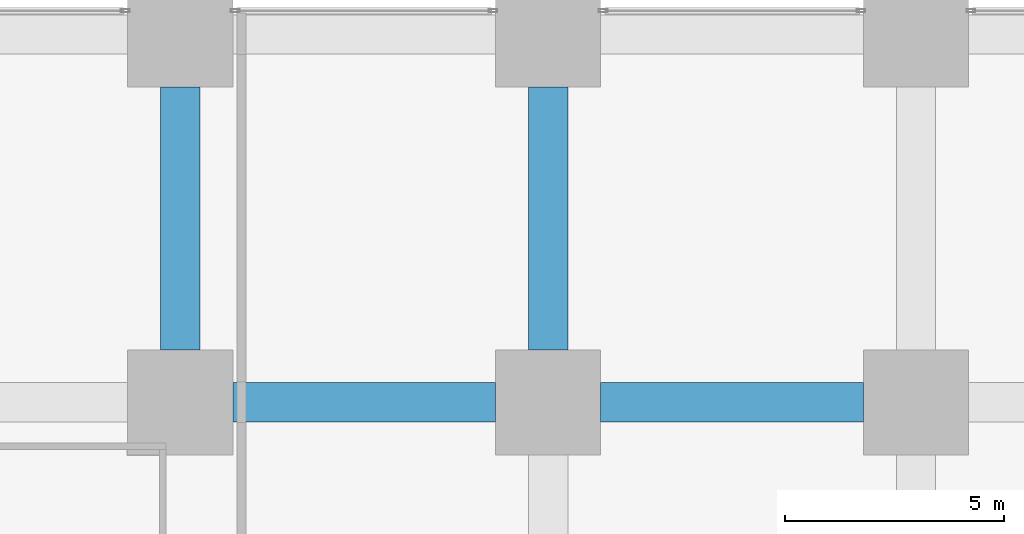
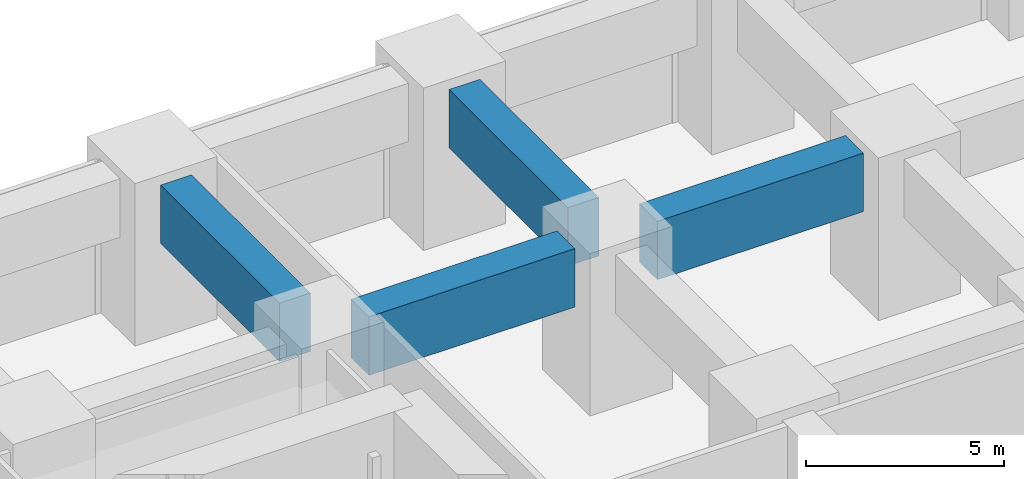
# One storey, part 28 of 48: 4 beams.
"""IFC4 building model written with IfcOpenShell, lengths in metres."""

import ifcopenshell
import ifcopenshell.guid

model = None  # the IFC model being written
_history = None  # IfcOwnerHistory: only IFC2X3 demands one
_inside = {}  # id of a spatial element -> (the spatial element, [elements in it])
_under = {}  # id of a project, library or spatial element -> (it, [spatial elements below it])
_declared = {}  # id of a project -> (the project, [libraries it declares])
_typed = {}  # id of a type object -> (the type object, [elements of that type])
_made_of = {}  # id of a material, layer set ... -> (it, [elements and type objects made of it])


def new_model(schema):
    """Start an empty IFC model of exactly this schema.

    Asked for "IFC4X3", IfcOpenShell would pick the latest addendum, in which some entities
    have other attributes; the version numbers below select the first issue.
    IFC2X3 requires an IfcOwnerHistory on every rooted entity: one is made here for all.
    """
    global model, _history
    if schema == "IFC4X3":
        model = ifcopenshell.file(schema_version=(4, 3, 0, 0))
    else:
        model = ifcopenshell.file(schema=schema)
    _inside.clear()
    _under.clear()
    _declared.clear()
    _typed.clear()
    _made_of.clear()
    _history = None
    if model.schema == "IFC2X3":
        org = make("IfcOrganization", Name="unknown")
        user = make(
            "IfcPersonAndOrganization",
            ThePerson=make("IfcPerson", FamilyName="unknown"),
            TheOrganization=org,
        )
        app = make(
            "IfcApplication",
            ApplicationDeveloper=org,
            Version="unknown",
            ApplicationFullName="unknown",
            ApplicationIdentifier="unknown",
        )
        _history = make(
            "IfcOwnerHistory",
            OwningUser=user,
            OwningApplication=app,
            ChangeAction="ADDED",
            CreationDate=0,
        )
    return model


def make(cls, **values):
    """One entity of the class cls with the attributes given. An attribute that is None is left unset."""
    return model.create_entity(
        cls, **{name: value for name, value in values.items() if value is not None}
    )


def rooted(cls, **values):
    """An entity with a GlobalId (a new one), such as an element, a storey or a relation."""
    return make(cls, GlobalId=ifcopenshell.guid.new(), OwnerHistory=_history, **values)


def si_unit(unit_type, name, prefix=None):
    """IfcSIUnit, for example si_unit("LENGTHUNIT", "METRE", prefix="MILLI")."""
    return make("IfcSIUnit", UnitType=unit_type, Prefix=prefix, Name=name)


def assignment(units):
    """IfcUnitAssignment: the units of a project."""
    return None if units is None else make("IfcUnitAssignment", Units=units)


def point(xyz):
    """IfcCartesianPoint."""
    return None if xyz is None else make("IfcCartesianPoint", Coordinates=xyz)


def direction(xyz):
    """IfcDirection."""
    return None if xyz is None else make("IfcDirection", DirectionRatios=xyz)


def frame(location, z_axis=None, x_axis=None):
    """IfcAxis2Placement3D, a coordinate frame: its origin and axes. An axis left out is left unset."""
    return make(
        "IfcAxis2Placement3D",
        Location=point(location),
        Axis=direction(z_axis),
        RefDirection=direction(x_axis),
    )


def frame_2d(location, x_axis=None):
    """IfcAxis2Placement2D, a coordinate frame in the plane: its origin and x axis."""
    return make(
        "IfcAxis2Placement2D", Location=point(location), RefDirection=direction(x_axis)
    )


def origin():
    """The frame at (0, 0, 0) with its axes left unset."""
    return frame((0.0, 0.0, 0.0))


def origin_2d():
    """The frame at (0, 0) in the plane with its x axis left unset."""
    return frame_2d((0.0, 0.0))


def place(relative_to, where):
    """IfcLocalPlacement: puts the frame where relative to a parent placement (None: the world)."""
    return make(
        "IfcLocalPlacement", PlacementRelTo=relative_to, RelativePlacement=where
    )


def context(
    kind, dimensions, precision=None, world=None, true_north=None, identifier=None
):
    """IfcGeometricRepresentationContext, for example the 3D "Model" context."""
    return make(
        "IfcGeometricRepresentationContext",
        ContextIdentifier=identifier,
        ContextType=kind,
        CoordinateSpaceDimension=dimensions,
        Precision=precision,
        WorldCoordinateSystem=world,
        TrueNorth=true_north,
    )


def subcontext(parent, identifier, kind, view, scale=None):
    """IfcGeometricRepresentationSubContext, for example "Body" below "Model"."""
    return make(
        "IfcGeometricRepresentationSubContext",
        ContextIdentifier=identifier,
        ContextType=kind,
        ParentContext=parent,
        TargetScale=scale,
        TargetView=view,
    )


def project(units=None, contexts=None):
    """IfcProject with its units and contexts."""
    return rooted(
        "IfcProject",
        Name="project",
        RepresentationContexts=contexts,
        UnitsInContext=assignment(units),
    )


def spatial(cls, under=None, at=None, **own):
    """A site, building, storey or space (cls), placed at a placement, below another one or the project."""
    s = rooted(cls, ObjectPlacement=at, **own)
    if under is not None:
        _under.setdefault(under.id(), (under, []))[1].append(s)
    return s


def profile(cls, at=None, kind="AREA", **sizes):
    """A parametric profile (cls). Its sizes go by their IFC names, for example OverallWidth=200.0."""
    return make(cls, ProfileType=kind, Position=at, **sizes)


def rectangle(**sizes):
    """IfcRectangleProfileDef."""
    return profile("IfcRectangleProfileDef", **sizes)


def extrude(swept, where, along, depth):
    """IfcExtrudedAreaSolid: the profile swept, set in the frame where, extruded along a direction by depth."""
    return make(
        "IfcExtrudedAreaSolid",
        SweptArea=swept,
        Position=where,
        ExtrudedDirection=direction(along),
        Depth=depth,
    )


def shape(context_of_items, identifier, shape_type, items):
    """IfcShapeRepresentation: the items that make up one representation, for example the "Body"."""
    return make(
        "IfcShapeRepresentation",
        ContextOfItems=context_of_items,
        RepresentationIdentifier=identifier,
        RepresentationType=shape_type,
        Items=items,
    )


def material(Name=None, Category=None):
    """IfcMaterial."""
    return make("IfcMaterial", Name=Name, Category=Category)


def material_profile(
    of_material, cross_section, Name=None, Category=None, Priority=None
):
    """IfcMaterialProfile: a cross section and its material."""
    return make(
        "IfcMaterialProfile",
        Name=Name,
        Material=of_material,
        Profile=cross_section,
        Priority=Priority,
        Category=Category,
    )


def profile_set(profiles, Name=None, composite=None):
    """IfcMaterialProfileSet."""
    return make(
        "IfcMaterialProfileSet",
        Name=Name,
        MaterialProfiles=profiles,
        CompositeProfile=composite,
    )


def made_of(thing, what):
    """Note that an element or type object is made of a material, layer set ...; save() writes the relation."""
    if what is not None:
        _made_of.setdefault(what.id(), (what, []))[1].append(thing)
    return thing


def type_object(cls, material=None, **own):
    """A type object (cls), such as IfcWallType, which elements share."""
    return made_of(rooted(cls, **own), material)


def element(
    cls,
    number,
    at=None,
    inside=None,
    cuts=None,
    type_object=None,
    material=None,
    context=None,
    identifier="Body",
    shape_type=None,
    held_by="IfcProductDefinitionShape",
    body=None,
    shapes=None,
    **own,
):
    """One element of the class cls, such as IfcWall. Its Tag is "e" and its number.

    at: its placement. inside: the storey or other place that contains it. cuts: it is an
    opening in that element (IfcRelVoidsElement). A single representation is given by context,
    identifier, shape_type and body (its items); several are given by shapes. held_by: the class
    of the entity that holds the representations. save() writes the other relations.
    """
    e = rooted(cls, Tag="e%d" % number, ObjectPlacement=at, **own)
    if body is not None:
        shapes = [shape(context, identifier, shape_type, body)]
    if shapes is not None:
        e.Representation = make(held_by, Representations=shapes)
    if inside is not None:
        _inside.setdefault(inside.id(), (inside, []))[1].append(e)
    if cuts is not None:
        rooted(
            "IfcRelVoidsElement", RelatingBuildingElement=cuts, RelatedOpeningElement=e
        )
    if type_object is not None:
        _typed.setdefault(type_object.id(), (type_object, []))[1].append(e)
    return made_of(e, material)


def aggregate(whole, parts):
    """IfcRelAggregates: a whole, such as a stair, and the parts it consists of."""
    return rooted("IfcRelAggregates", RelatingObject=whole, RelatedObjects=parts)


def save(model, path):
    """Write the relations noted so far, then the file.

    IfcRelAggregates (storeys below a building ...), IfcRelContainedInSpatialStructure (elements
    in a storey), IfcRelDefinesByType, IfcRelAssociatesMaterial and IfcRelDeclares: one each for
    every whole, place, type object, material and project.
    """
    for whole, parts in _under.values():
        aggregate(whole, parts)
    for where, things in _inside.values():
        rooted(
            "IfcRelContainedInSpatialStructure",
            RelatedElements=things,
            RelatingStructure=where,
        )
    for kind, things in _typed.values():
        rooted("IfcRelDefinesByType", RelatedObjects=things, RelatingType=kind)
    for what, things in _made_of.values():
        rooted("IfcRelAssociatesMaterial", RelatedObjects=things, RelatingMaterial=what)
    for by, libraries in _declared.values():
        rooted("IfcRelDeclares", RelatingContext=by, RelatedDefinitions=libraries)
    model.write(path)


model = new_model("IFC4")

# Units and contexts
model_context = context("Model", 3, precision=1e-05, world=origin(), true_north=direction((0.0, 1.0)))
body_context = subcontext(model_context, "Body", "Model", "MODEL_VIEW")
ifc_project = project(units=[si_unit("LENGTHUNIT", "METRE"), si_unit("AREAUNIT", "SQUARE_METRE"), si_unit("VOLUMEUNIT", "CUBIC_METRE"), si_unit("PLANEANGLEUNIT", "RADIAN"), si_unit("MASSUNIT", "GRAM", prefix="KILO")], contexts=[model_context])

# Site, building, storey
site_placement = place(None, origin())
site = spatial("IfcSite", under=ifc_project, at=site_placement, CompositionType="ELEMENT")
building_placement = place(site_placement, origin())
building = spatial("IfcBuilding", under=site, at=building_placement, Name="Rekha Terrace Tower", CompositionType="ELEMENT")
storey_placement = place(building_placement, frame((0.0, 0.0, 15.39990234375)))
storey = spatial("IfcBuildingStorey", under=building, at=storey_placement, Name="L03", CompositionType="ELEMENT", Elevation=15.39990234375)

# Beams
ifc_material = material(Name="Concrete M60", Category="concrete")
ifc_material_profile = material_profile(ifc_material, rectangle(XDim=0.89990234375, YDim=1.800048828125, at=origin_2d()), Name="RC 900x1800")
ifc_profile_set = profile_set([ifc_material_profile], Name="Concrete M60")
beam_type = type_object("IfcBeamType", Name="G1 900x1800 podium floor beam", PredefinedType="BEAM", material=ifc_profile_set)
for number, where, z_axis, x_axis, name in (
    (1, (51.60009765625, 50.39990234375, 3.800048828125), (1.0, 0.0, 0.0), (0.0, 1.0, 0.0), "Beam G1 7G-8G under L04"),
    (2, (50.39990234375, 51.60009765625, 3.800048828125), (0.0, 1.0, 0.0), (-1.0, 0.0, 0.0), "Beam G1 7G-7H under L04"),
    (3, (60.0, 50.39990234375, 3.800048828125), (1.0, 0.0, 0.0), (0.0, 1.0, 0.0), "Beam G1 8G-9G under L04"),
    (4, (58.800048828125, 51.60009765625, 3.800048828125), (0.0, 1.0, 0.0), (-1.0, 0.0, 0.0), "Beam G1 8G-8H under L04"),
):
    element("IfcBeam", number, at=place(storey_placement, frame(where, z_axis=z_axis, x_axis=x_axis)), inside=storey, type_object=beam_type, Name=name, PredefinedType="BEAM", context=body_context, shape_type="SweptSolid", body=[
        extrude(rectangle(XDim=0.89990234375, YDim=1.800048828125, at=origin_2d()), origin(), (0.0, 0.0, 1.0), 6.0),
    ])

save(model, "model.ifc")
